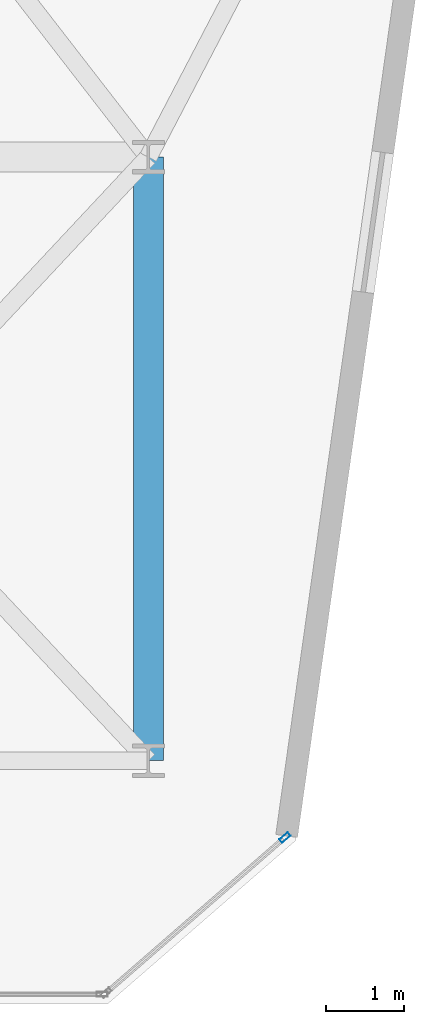
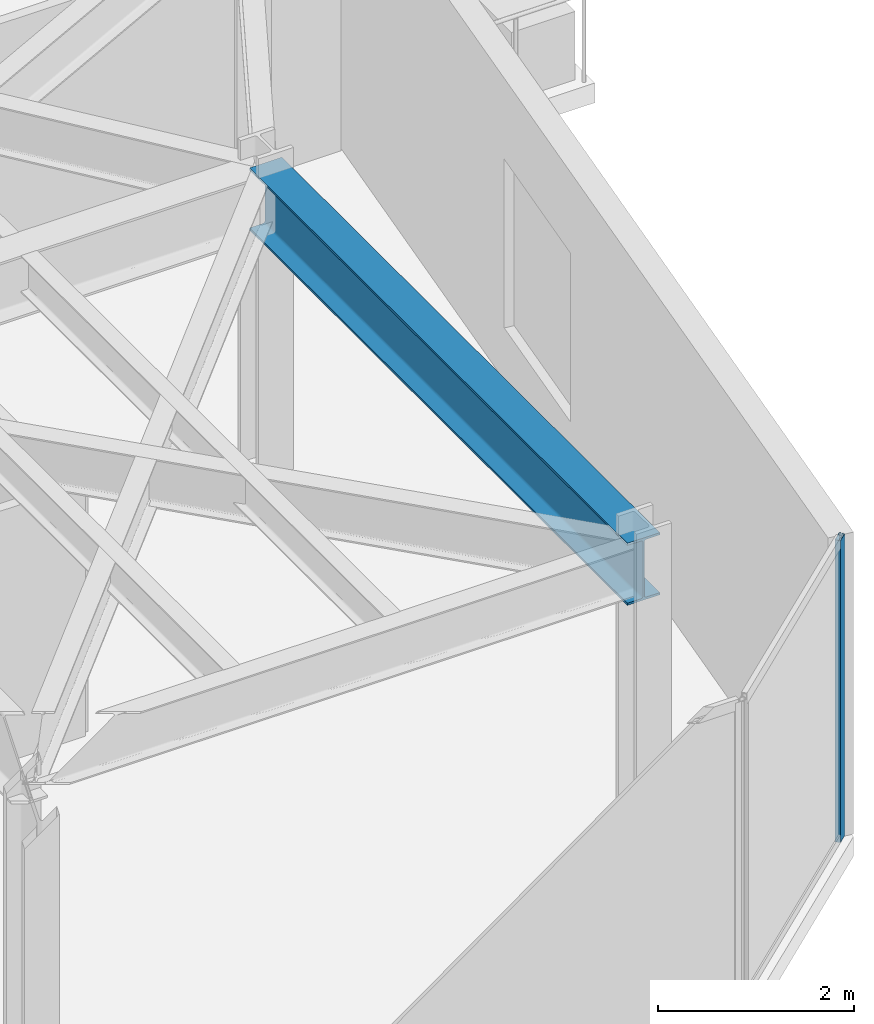
# One storey, part 14 of 21: 1 beam, 1 member, 1 element without a shape of its own.
"""IFC4 building model written with IfcOpenShell, lengths in metres."""

from ifc_helpers import new_model, si_unit, direction, frame, origin, origin_2d, place, context, subcontext, project, spatial, hollow_rectangle, i_section, extrude, material, layer, layer_set, material_profile, profile_set, type_object, element, aggregate, save


model = new_model("IFC4")

# Units and contexts
model_context = context("Model", 3, precision=1e-05, world=origin(), true_north=direction((0.0, 1.0)))
body_context = subcontext(model_context, "Body", "Model", "MODEL_VIEW")
ifc_project = project(units=[si_unit("LENGTHUNIT", "METRE"), si_unit("AREAUNIT", "SQUARE_METRE"), si_unit("VOLUMEUNIT", "CUBIC_METRE"), si_unit("PLANEANGLEUNIT", "RADIAN"), si_unit("MASSUNIT", "GRAM", prefix="KILO")], contexts=[model_context])

# Site, building, storey
site_placement = place(None, origin())
site = spatial("IfcSite", under=ifc_project, at=site_placement, CompositionType="ELEMENT")
building_placement = place(site_placement, origin())
building = spatial("IfcBuilding", under=site, at=building_placement, Name="Kravanh Interchange Tower", CompositionType="ELEMENT")
storey_placement = place(building_placement, frame((0.0, 0.0, 184.5)))
storey = spatial("IfcBuildingStorey", under=building, at=storey_placement, Name="L44", CompositionType="ELEMENT", Elevation=184.5)

# Curtain wall, member
ifc_material_1 = material(Name="Anodised Bronze Aluminium", Category="aluminium")
ifc_layer = layer(ifc_material_1, 0.179931640625)
ifc_layer_set = layer_set([ifc_layer], Name="Unitised Curtain Wall System CW-Z3 Upper Office")
curtain_wall_type = type_object("IfcCurtainWallType", Name="Unitised Curtain Wall System CW-Z3 Upper Office", PredefinedType="NOTDEFINED", material=ifc_layer_set)
curtain_wall_placement = place(storey_placement, origin())
curtain_wall = element("IfcCurtainWall", 1, at=curtain_wall_placement, inside=storey, type_object=curtain_wall_type, Name="L44 Unitised Curtain Wall CW-L44-01", PredefinedType="NOTDEFINED")
ifc_material_2 = material(Name="Anodised Bronze Aluminium", Category="aluminium")
ifc_material_profile_1 = material_profile(ifc_material_2, hollow_rectangle(XDim=0.06005859375, YDim=0.139892578125, WallThickness=0.00390625, at=origin_2d()), Name="ALU60X140X4")
ifc_profile_set_1 = profile_set([ifc_material_profile_1], Name="Anodised Bronze Aluminium")
member_type = type_object("IfcMemberType", Name="Curtain Wall Mullion ALU60X140X4 Bronze", PredefinedType="MULLION", material=ifc_profile_set_1)
member_placement = place(storey_placement, frame((64.94287109375, 13.52099609375, 0.0), z_axis=(0.0, 0.0, 1.0), x_axis=(0.65605090137, -0.754716645379, 0.0)))
member = element("IfcMember", 2, at=member_placement, type_object=member_type, Name="CW-Z3 mullion 1", PredefinedType="MULLION", context=body_context, shape_type="SweptSolid", body=[
    extrude(hollow_rectangle(XDim=0.06005859375, YDim=0.139892578125, WallThickness=0.00390625, at=origin_2d()), origin(), (0.0, 0.0, 1.0), 3.7548828125),
])
aggregate(curtain_wall, [member])

# Beam
ifc_material_3 = material(Name="Structural Steel S355", Category="steel")
ifc_material_profile_2 = material_profile(ifc_material_3, i_section(OverallWidth=0.381103515625, OverallDepth=0.77294921875, WebThickness=0.0166015625, FlangeThickness=0.027099609375, FilletRadius=0.02490234375, at=origin_2d()), Name="W30X173")
ifc_profile_set_2 = profile_set([ifc_material_profile_2], Name="Structural Steel S355")
beam_type = type_object("IfcBeamType", Name="Floor Beam W30X173 Structural Steel S355", PredefinedType="BEAM", material=ifc_profile_set_2)
beam_placement = place(storey_placement, frame((63.199951171875, 14.5, 3.368408203125), z_axis=(0.0, 1.0, 0.0), x_axis=(-1.0, 0.0, 0.0)))
element("IfcBeam", 3, at=beam_placement, inside=storey, type_object=beam_type, Name="L44 Primary Floor Girder 89", PredefinedType="BEAM", context=body_context, shape_type="SweptSolid", body=[
    extrude(i_section(OverallWidth=0.381103515625, OverallDepth=0.77294921875, WebThickness=0.0166015625, FlangeThickness=0.027099609375, FilletRadius=0.02490234375, at=origin_2d()), origin(), (0.0, 0.0, 1.0), 7.699951171875),
])

save(model, "model.ifc")
